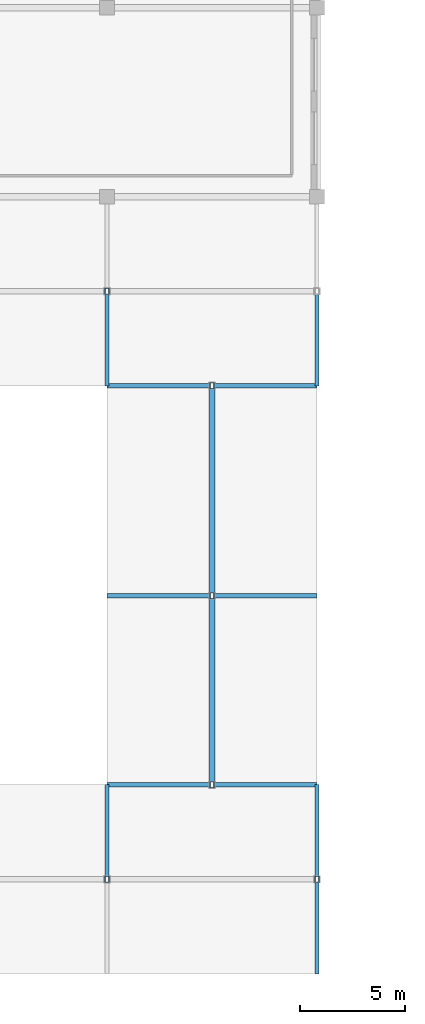
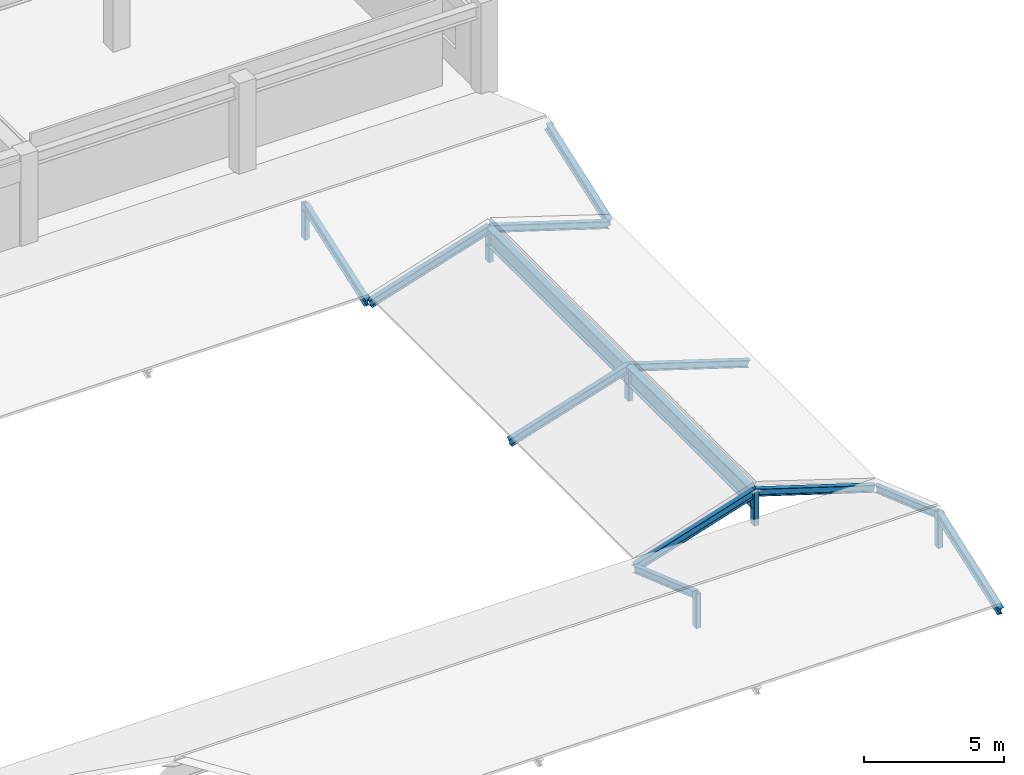
# One storey, part 73 of 110: 17 members, 1 beam.
"""IFC4 building model written with IfcOpenShell, lengths in metres."""

from ifc_helpers import new_model, si_unit, direction, frame, origin, origin_2d, place, context, subcontext, project, spatial, hollow_rectangle, i_section, extrude, material, material_profile, profile_set, type_object, element, save


model = new_model("IFC4")

# Units and contexts
model_context = context("Model", 3, precision=1e-05, world=origin(), true_north=direction((0.0, 1.0)))
body_context = subcontext(model_context, "Body", "Model", "MODEL_VIEW")
ifc_project = project(units=[si_unit("LENGTHUNIT", "METRE"), si_unit("AREAUNIT", "SQUARE_METRE"), si_unit("VOLUMEUNIT", "CUBIC_METRE"), si_unit("PLANEANGLEUNIT", "RADIAN"), si_unit("MASSUNIT", "GRAM", prefix="KILO")], contexts=[model_context])

# Site, building, storey
site_placement = place(None, origin())
site = spatial("IfcSite", under=ifc_project, at=site_placement, CompositionType="ELEMENT")
building_placement = place(site_placement, origin())
building = spatial("IfcBuilding", under=site, at=building_placement, Name="Miravela Opera House", CompositionType="ELEMENT")
storey_placement = place(building_placement, frame((0.0, 0.0, 13.60009765625)))
storey = spatial("IfcBuildingStorey", under=building, at=storey_placement, Name="L03", CompositionType="ELEMENT", Elevation=13.60009765625)

# Beam
ifc_material_1 = material(Name="Structural steel ASTM A992 Gr. 50", Category="steel")
ifc_material_profile_1 = material_profile(ifc_material_1, i_section(OverallWidth=0.26806640625, OverallDepth=0.77001953125, WebThickness=0.015625, FlangeThickness=0.025390625, FilletRadius=0.02001953125, at=origin_2d()), Name="W760X196")
ifc_profile_set_1 = profile_set([ifc_material_profile_1])
beam_type = type_object("IfcBeamType", Name="STR-BM-W760X196", PredefinedType="BEAM", material=ifc_profile_set_1)
beam_placement = place(storey_placement, frame((149.0, 9.0, 0.85498046875), z_axis=(0.0, 1.0, 0.0), x_axis=(-1.0, 0.0, 0.0)))
element("IfcBeam", 1, at=beam_placement, inside=storey, type_object=beam_type, Name="Clay Tile Roof Ridge Beam ROOF-V4-EAST-M", PredefinedType="BEAM", context=body_context, shape_type="SweptSolid", body=[
    extrude(i_section(OverallWidth=0.26806640625, OverallDepth=0.77001953125, WebThickness=0.015625, FlangeThickness=0.025390625, FilletRadius=0.02001953125, at=origin_2d()), origin(), (0.0, 0.0, 1.0), 19.0),
])

# Members
ifc_material_2 = material(Name="Hollow structural steel ASTM A500 Gr. C", Category="steel")
ifc_material_profile_2 = material_profile(ifc_material_2, hollow_rectangle(XDim=0.199951171875, YDim=0.300048828125, WallThickness=0.011962890625, InnerFilletRadius=0.011962890625, OuterFilletRadius=0.02392578125, at=origin_2d()), Name="HSS300X200X12")
ifc_profile_set_2 = profile_set([ifc_material_profile_2])
member_type_1 = type_object("IfcMemberType", Name="STR-MEM-POST-HSS300X200", PredefinedType="POST", material=ifc_profile_set_2)
for number, where, z_axis, x_axis, name in (
    (2, (144.0, 4.5, -0.25), (0.0, 0.0, 1.0), (1.0, 0.0, 0.0), "Roof Ridge Support Post ROOF-V4-SE M6"),
    (3, (154.0, 4.5, -0.25), (0.0, 0.0, 1.0), (1.0, 0.0, 0.0), "Roof Gable King Post ROOF-V4-SE E"),
):
    element("IfcMember", number, at=place(storey_placement, frame(where, z_axis=z_axis, x_axis=x_axis)), inside=storey, type_object=member_type_1, Name=name, PredefinedType="POST", context=body_context, shape_type="SweptSolid", body=[
        extrude(hollow_rectangle(XDim=0.199951171875, YDim=0.300048828125, WallThickness=0.011962890625, InnerFilletRadius=0.011962890625, OuterFilletRadius=0.02392578125, at=origin_2d()), origin(), (0.0, 0.0, 1.0), 1.510009765625),
    ])
for number, where, z_axis, x_axis, name in (
    (4, (149.0, 9.0, -0.25), (0.0, 0.0, 1.0), (1.0, 0.0, 0.0), "Roof Gable King Post ROOF-V4-EAST-M S"),
    (5, (149.0, 18.0, -0.25), (0.0, 0.0, 1.0), (1.0, 0.0, 0.0), "Roof Ridge Support Post ROOF-V4-EAST-M M1"),
    (6, (149.0, 28.0, -0.25), (0.0, 0.0, 1.0), (1.0, 0.0, 0.0), "Roof Gable King Post ROOF-V4-EAST-M N"),
):
    element("IfcMember", number, at=place(storey_placement, frame(where, z_axis=z_axis, x_axis=x_axis)), inside=storey, type_object=member_type_1, Name=name, PredefinedType="POST", context=body_context, shape_type="SweptSolid", body=[
        extrude(hollow_rectangle(XDim=0.199951171875, YDim=0.300048828125, WallThickness=0.011962890625, InnerFilletRadius=0.011962890625, OuterFilletRadius=0.02392578125, at=origin_2d()), origin(), (0.0, 0.0, 1.0), 1.469970703125),
    ])
member_1_placement = place(storey_placement, frame((144.0, 32.5, -0.25), z_axis=(0.0, 0.0, 1.0), x_axis=(1.0, 0.0, 0.0)))
element("IfcMember", 7, at=member_1_placement, inside=storey, type_object=member_type_1, Name="Roof Ridge Support Post ROOF-V4-NE M3", PredefinedType="POST", context=body_context, shape_type="SweptSolid", body=[
    extrude(hollow_rectangle(XDim=0.199951171875, YDim=0.300048828125, WallThickness=0.011962890625, InnerFilletRadius=0.011962890625, OuterFilletRadius=0.02392578125, at=origin_2d()), origin(), (0.0, 0.0, 1.0), 1.510009765625),
])
ifc_material_profile_3 = material_profile(ifc_material_1, i_section(OverallWidth=0.2041015625, OverallDepth=0.35009765625, WebThickness=0.008544921875, FlangeThickness=0.01513671875, FilletRadius=0.013916015625, at=origin_2d()), Name="W360X72")
ifc_profile_set_3 = profile_set([ifc_material_profile_3])
member_type_2 = type_object("IfcMemberType", Name="STR-MEM-RAFTER-1", PredefinedType="RAFTER", material=ifc_profile_set_3)
member_2_placement = place(storey_placement, frame((154.0, 0.050048828125, -0.400146484375), z_axis=(0.0, 0.943687918104, 0.3308369889), x_axis=(-1.0, 0.0, 0.0)))
element("IfcMember", 8, at=member_2_placement, inside=storey, type_object=member_type_2, Name="Pitched Roof Rafter ROOF-V4-SE S7", PredefinedType="RAFTER", context=body_context, shape_type="SweptSolid", body=[
    extrude(i_section(OverallWidth=0.2041015625, OverallDepth=0.35009765625, WebThickness=0.008544921875, FlangeThickness=0.01513671875, FilletRadius=0.013916015625, at=origin_2d()), origin(), (0.0, 0.0, 1.0), 4.715576171875),
])
for number, where, z_axis, x_axis, name in (
    (9, (144.050048828125, 9.0, -0.400146484375), (0.953753138801, 0.0, 0.300591001575), (0.0, 1.0, 0.0), "Pitched Roof Rafter ROOF-V4-EAST-M W0"),
    (10, (144.050048828125, 18.0, -0.400146484375), (0.953753138801, 0.0, 0.300591001575), (0.0, 1.0, 0.0), "Pitched Roof Rafter ROOF-V4-EAST-M W1"),
    (11, (144.050048828125, 28.0, -0.400146484375), (0.953753138801, 0.0, 0.300591001575), (0.0, 1.0, 0.0), "Pitched Roof Rafter ROOF-V4-EAST-M W2"),
):
    element("IfcMember", number, at=place(storey_placement, frame(where, z_axis=z_axis, x_axis=x_axis)), inside=storey, type_object=member_type_2, Name=name, PredefinedType="RAFTER", context=body_context, shape_type="SweptSolid", body=[
        extrude(i_section(OverallWidth=0.2041015625, OverallDepth=0.35009765625, WebThickness=0.008544921875, FlangeThickness=0.01513671875, FilletRadius=0.013916015625, at=origin_2d()), origin(), (0.0, 0.0, 1.0), 5.18994140625),
    ])
for number, where, z_axis, x_axis, name in (
    (12, (144.0, 28.050048828125, -0.400146484375), (0.0, 0.943687918104, 0.3308369889), (-1.0, 0.0, 0.0), "Pitched Roof Rafter ROOF-V4-NE S3"),
    (13, (154.0, 28.050048828125, -0.400146484375), (0.0, 0.943687918104, 0.3308369889), (-1.0, 0.0, 0.0), "Pitched Roof Rafter ROOF-V4-NE S4"),
):
    element("IfcMember", number, at=place(storey_placement, frame(where, z_axis=z_axis, x_axis=x_axis)), inside=storey, type_object=member_type_2, Name=name, PredefinedType="RAFTER", context=body_context, shape_type="SweptSolid", body=[
        extrude(i_section(OverallWidth=0.2041015625, OverallDepth=0.35009765625, WebThickness=0.008544921875, FlangeThickness=0.01513671875, FilletRadius=0.013916015625, at=origin_2d()), origin(), (0.0, 0.0, 1.0), 4.715576171875),
    ])
ifc_material_profile_4 = material_profile(ifc_material_1, i_section(OverallWidth=0.202880859375, OverallDepth=0.302978515625, WebThickness=0.007568359375, FlangeThickness=0.01318359375, FilletRadius=0.012939453125, at=origin_2d()), Name="W310X60")
ifc_profile_set_4 = profile_set([ifc_material_profile_4])
member_type_3 = type_object("IfcMemberType", Name="STR-MEM-RAFTER-2", PredefinedType="RAFTER", material=ifc_profile_set_4)
for number, where, z_axis, x_axis, name in (
    (14, (144.0, 8.949951171875, -0.400146484375), (0.0, -0.943687918104, 0.3308369889), (1.0, 0.0, 0.0), "Pitched Roof Rafter ROOF-V4-SE N6"),
    (15, (154.0, 8.949951171875, -0.400146484375), (0.0, -0.943687918104, 0.3308369889), (1.0, 0.0, 0.0), "Pitched Roof Rafter ROOF-V4-SE N7"),
):
    element("IfcMember", number, at=place(storey_placement, frame(where, z_axis=z_axis, x_axis=x_axis)), inside=storey, type_object=member_type_3, Name=name, PredefinedType="RAFTER", context=body_context, shape_type="SweptSolid", body=[
        extrude(i_section(OverallWidth=0.202880859375, OverallDepth=0.302978515625, WebThickness=0.007568359375, FlangeThickness=0.01318359375, FilletRadius=0.012939453125, at=origin_2d()), origin(), (0.0, 0.0, 1.0), 4.715576171875),
    ])
for number, where, z_axis, x_axis, name in (
    (16, (153.949951171875, 9.0, -0.400146484375), (-0.953753138801, 0.0, 0.300591001575), (0.0, -1.0, 0.0), "Pitched Roof Rafter ROOF-V4-EAST-M E0"),
    (17, (153.949951171875, 18.0, -0.400146484375), (-0.953753138801, 0.0, 0.300591001575), (0.0, -1.0, 0.0), "Pitched Roof Rafter ROOF-V4-EAST-M E1"),
    (18, (153.949951171875, 28.0, -0.400146484375), (-0.953753138801, 0.0, 0.300591001575), (0.0, -1.0, 0.0), "Pitched Roof Rafter ROOF-V4-EAST-M E2"),
):
    element("IfcMember", number, at=place(storey_placement, frame(where, z_axis=z_axis, x_axis=x_axis)), inside=storey, type_object=member_type_3, Name=name, PredefinedType="RAFTER", context=body_context, shape_type="SweptSolid", body=[
        extrude(i_section(OverallWidth=0.202880859375, OverallDepth=0.302978515625, WebThickness=0.007568359375, FlangeThickness=0.01318359375, FilletRadius=0.012939453125, at=origin_2d()), origin(), (0.0, 0.0, 1.0), 5.18994140625),
    ])

save(model, "model.ifc")
